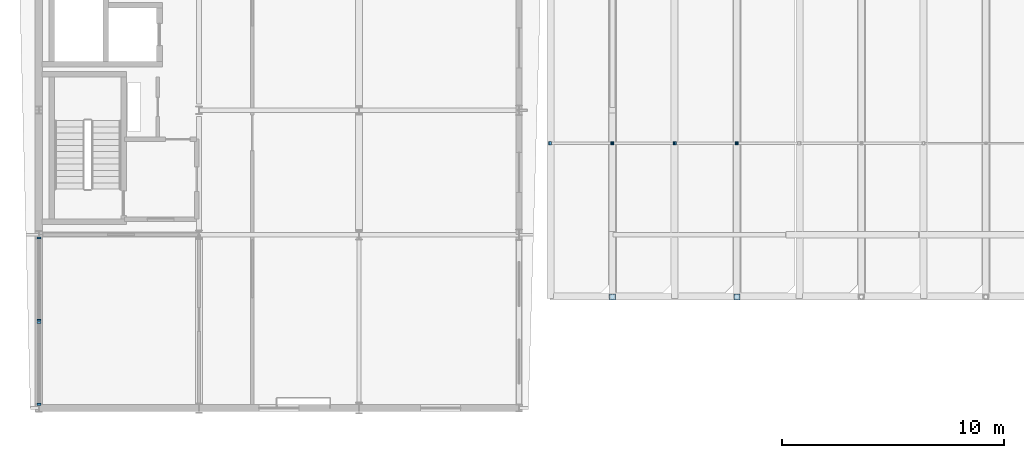
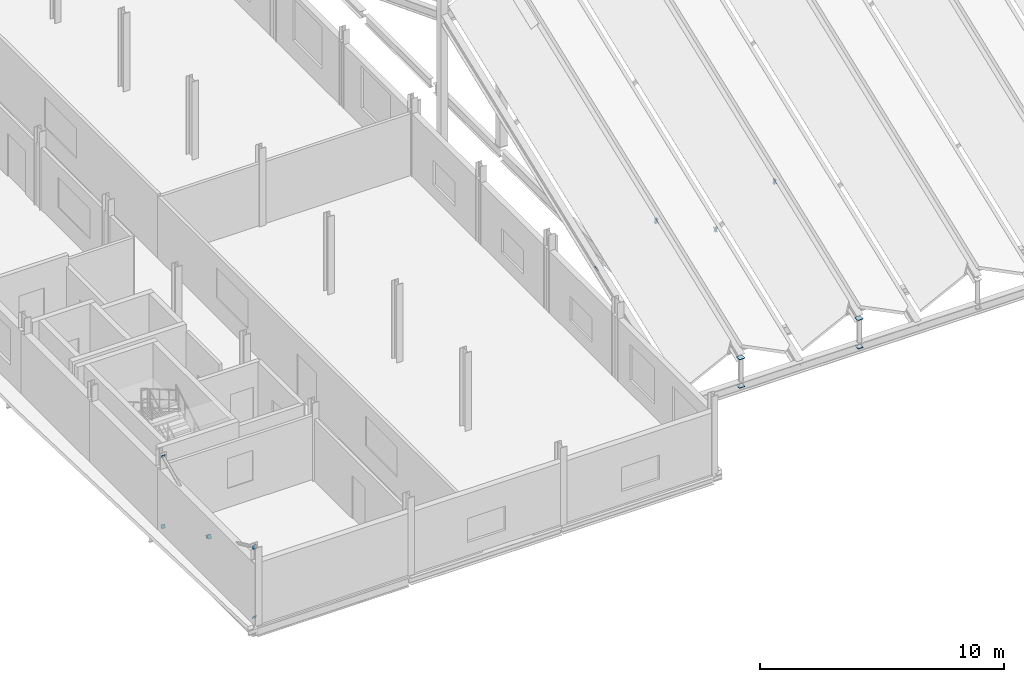
# One storey, part 30 of 49: 17 plates.
"""IFC4 building model written with IfcOpenShell, lengths in metres."""

from ifc_helpers import new_model, si_unit, direction, frame, origin, origin_2d, place, context, subcontext, project, spatial, rectangle, extrude, material, material_profile, profile_set, type_object, element, save


model = new_model("IFC4")

# Units and contexts
model_context = context("Model", 3, precision=1e-05, world=origin(), true_north=direction((0.0, 1.0)))
body_context = subcontext(model_context, "Body", "Model", "MODEL_VIEW")
ifc_project = project(units=[si_unit("LENGTHUNIT", "METRE"), si_unit("AREAUNIT", "SQUARE_METRE"), si_unit("VOLUMEUNIT", "CUBIC_METRE"), si_unit("PLANEANGLEUNIT", "RADIAN"), si_unit("MASSUNIT", "GRAM", prefix="KILO")], contexts=[model_context])

# Site, building, storey
site_placement = place(None, origin())
site = spatial("IfcSite", under=ifc_project, at=site_placement, CompositionType="ELEMENT")
building_placement = place(site_placement, origin())
building = spatial("IfcBuilding", under=site, at=building_placement, Name="Vinh Khe Railworks Police Headquarters", CompositionType="ELEMENT")
storey_placement = place(building_placement, frame((0.0, 0.0, 17.10009765625)))
storey = spatial("IfcBuildingStorey", under=building, at=storey_placement, Name="L04", CompositionType="ELEMENT", Elevation=17.10009765625)

# Plates
ifc_material = material(Name="Steel S355JR", Category="steel")
ifc_material_profile_1 = material_profile(ifc_material, rectangle(XDim=0.139892578125, YDim=0.239990234375, at=origin_2d()), Name="PL 140x240")
ifc_profile_set_1 = profile_set([ifc_material_profile_1], Name="Steel S355JR")
plate_type_1 = type_object("IfcPlateType", Name="Steel End-Cap Plate 140x240x24", PredefinedType="SHEET", material=ifc_profile_set_1)
for number, where, z_axis, x_axis, name in (
    (1, (23.60009765625, 29.31396484375, 2.459716796875), (-0.894427191, 0.0, -0.4472135955), (0.0, -1.0, 0.0), "End-Cap Gusset Plate PLT-EP-0149"),
    (2, (26.39990234375, 29.31396484375, 3.859619140625), (-0.894427191, 0.0, 0.4472135955), (0.0, -1.0, 0.0), "End-Cap Gusset Plate PLT-EP-0233"),
    (3, (26.39990234375, 29.31396484375, 3.859619140625), (0.894427191, 0.0, 0.4472135955), (0.0, 1.0, 0.0), "End-Cap Gusset Plate PLT-EP-0234"),
    (4, (29.199951171875, 29.31396484375, 2.459716796875), (-0.894427191, 0.0, -0.4472135955), (0.0, -1.0, 0.0), "End-Cap Gusset Plate PLT-EP-0280"),
    (5, (29.199951171875, 29.31396484375, 2.459716796875), (0.894427191, 0.0, -0.4472135955), (0.0, 1.0, 0.0), "End-Cap Gusset Plate PLT-EP-0281"),
    (6, (32.0, 29.31396484375, 3.859619140625), (-0.894427191, 0.0, 0.4472135955), (0.0, -1.0, 0.0), "End-Cap Gusset Plate PLT-EP-0292"),
    (7, (32.0, 29.31396484375, 3.859619140625), (0.894427191, 0.0, 0.4472135955), (0.0, 1.0, 0.0), "End-Cap Gusset Plate PLT-EP-0293"),
):
    element("IfcPlate", number, at=place(storey_placement, frame(where, z_axis=z_axis, x_axis=x_axis)), inside=storey, type_object=plate_type_1, Name=name, PredefinedType="SHEET", context=body_context, shape_type="SweptSolid", body=[
        extrude(rectangle(XDim=0.139892578125, YDim=0.239990234375, at=origin_2d()), origin(), (0.0, 0.0, 1.0), 0.02392578125),
    ])
ifc_material_profile_2 = material_profile(ifc_material, rectangle(XDim=0.179931640625, YDim=0.179931640625, at=origin_2d()), Name="PL 180x180")
ifc_profile_set_2 = profile_set([ifc_material_profile_2], Name="Steel S355JR")
plate_type_2 = type_object("IfcPlateType", Name="Steel End-Cap Plate 180x180x24", PredefinedType="SHEET", material=ifc_profile_set_2)
for number, where, z_axis, x_axis, name in (
    (8, (0.60009765625, 17.580078125, 0.199951171875), (0.0, -0.904357603074, -0.42677549808), (1.0, 0.0, 0.0), "End-Cap Gusset Plate PLT-EP-0005"),
    (9, (0.60009765625, 17.580078125, 3.699951171875), (0.0, -0.904357603074, 0.42677549808), (1.0, 0.0, 0.0), "End-Cap Gusset Plate PLT-EP-0006"),
    (10, (0.60009765625, 21.244384765625, 1.980712890625), (0.0, 0.904357603074, -0.42677549808), (-1.0, 0.0, 0.0), "End-Cap Gusset Plate PLT-EP-0022"),
    (11, (0.60009765625, 21.375732421875, 1.919189453125), (0.0, -0.908257841017, 0.418410915525), (1.0, 0.0, 0.0), "End-Cap Gusset Plate PLT-EP-0027"),
    (12, (0.60009765625, 25.0400390625, 0.199951171875), (0.0, 0.904357603074, -0.42677549808), (-1.0, 0.0, 0.0), "End-Cap Gusset Plate PLT-EP-0045"),
    (13, (0.60009765625, 25.0400390625, 3.699951171875), (0.0, 0.904357603074, 0.42677549808), (-1.0, 0.0, 0.0), "End-Cap Gusset Plate PLT-EP-0046"),
):
    element("IfcPlate", number, at=place(storey_placement, frame(where, z_axis=z_axis, x_axis=x_axis)), inside=storey, type_object=plate_type_2, Name=name, PredefinedType="SHEET", context=body_context, shape_type="SweptSolid", body=[
        extrude(rectangle(XDim=0.179931640625, YDim=0.179931640625, at=origin_2d()), origin(), (0.0, 0.0, 1.0), 0.02392578125),
    ])
ifc_material_profile_3 = material_profile(ifc_material, rectangle(XDim=0.259033203125, YDim=0.259033203125, at=origin_2d()), Name="PL 259x259")
ifc_profile_set_3 = profile_set([ifc_material_profile_3], Name="Steel S355JR")
plate_type_3 = type_object("IfcPlateType", Name="Steel End-Cap Plate 259x259x24", PredefinedType="SHEET", material=ifc_profile_set_3)
plate_1_placement = place(storey_placement, frame((26.39990234375, 22.39990234375, -0.191162109375), z_axis=(0.0, 0.0, -1.0), x_axis=(1.0, 0.0, 0.0)))
element("IfcPlate", 14, at=plate_1_placement, inside=storey, type_object=plate_type_3, Name="End-Cap Gusset Plate PLT-EP-0230", PredefinedType="SHEET", context=body_context, shape_type="SweptSolid", body=[
    extrude(rectangle(XDim=0.259033203125, YDim=0.259033203125, at=origin_2d()), origin(), (0.0, 0.0, 1.0), 0.024169921875),
])
plate_2_placement = place(storey_placement, frame((26.39990234375, 22.39990234375, 1.208740234375), z_axis=(0.0, 0.0, 1.0), x_axis=(1.0, 0.0, 0.0)))
element("IfcPlate", 15, at=plate_2_placement, inside=storey, type_object=plate_type_3, Name="End-Cap Gusset Plate PLT-EP-0232", PredefinedType="SHEET", context=body_context, shape_type="SweptSolid", body=[
    extrude(rectangle(XDim=0.259033203125, YDim=0.259033203125, at=origin_2d()), origin(), (0.0, 0.0, 1.0), 0.02392578125),
])
plate_3_placement = place(storey_placement, frame((32.0, 22.39990234375, -0.191162109375), z_axis=(0.0, 0.0, -1.0), x_axis=(1.0, 0.0, 0.0)))
element("IfcPlate", 16, at=plate_3_placement, inside=storey, type_object=plate_type_3, Name="End-Cap Gusset Plate PLT-EP-0290", PredefinedType="SHEET", context=body_context, shape_type="SweptSolid", body=[
    extrude(rectangle(XDim=0.259033203125, YDim=0.259033203125, at=origin_2d()), origin(), (0.0, 0.0, 1.0), 0.024169921875),
])
plate_4_placement = place(storey_placement, frame((32.0, 22.39990234375, 1.208740234375), z_axis=(0.0, 0.0, 1.0), x_axis=(1.0, 0.0, 0.0)))
element("IfcPlate", 17, at=plate_4_placement, inside=storey, type_object=plate_type_3, Name="End-Cap Gusset Plate PLT-EP-0291", PredefinedType="SHEET", context=body_context, shape_type="SweptSolid", body=[
    extrude(rectangle(XDim=0.259033203125, YDim=0.259033203125, at=origin_2d()), origin(), (0.0, 0.0, 1.0), 0.02392578125),
])

save(model, "model.ifc")
